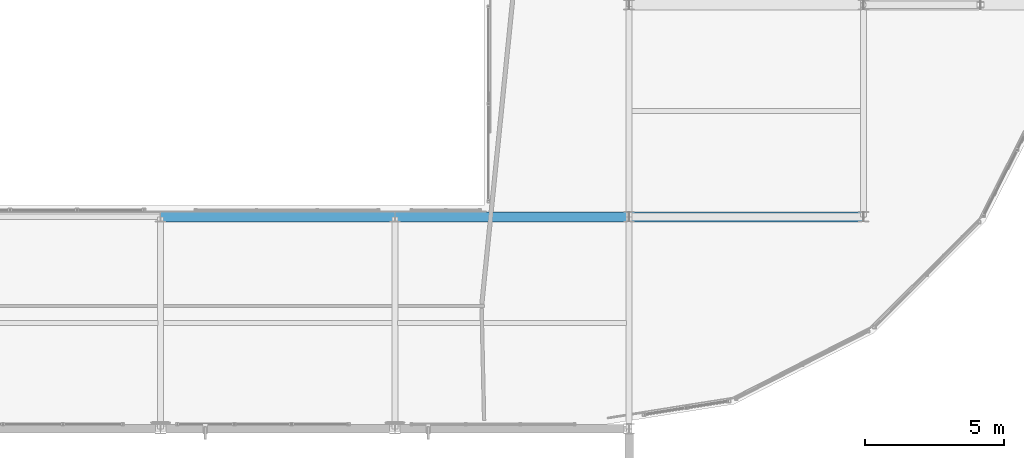
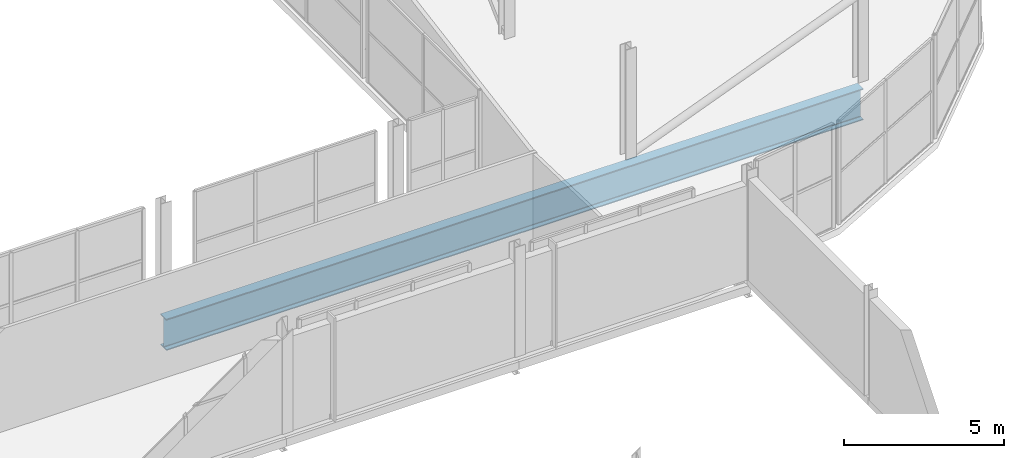
# One storey, part 142 of 217: 1 beam.
"""IFC4 building model written with IfcOpenShell, lengths in metres."""

from ifc_helpers import new_model, si_unit, direction, frame, origin, origin_2d, place, context, subcontext, project, spatial, i_section, extrude, material, material_profile, profile_set, type_object, element, save


model = new_model("IFC4")

# Units and contexts
model_context = context("Model", 3, precision=1e-05, world=origin(), true_north=direction((0.0, 1.0)))
body_context = subcontext(model_context, "Body", "Model", "MODEL_VIEW")
ifc_project = project(units=[si_unit("LENGTHUNIT", "METRE"), si_unit("AREAUNIT", "SQUARE_METRE"), si_unit("VOLUMEUNIT", "CUBIC_METRE"), si_unit("PLANEANGLEUNIT", "RADIAN"), si_unit("MASSUNIT", "GRAM", prefix="KILO")], contexts=[model_context])

# Site, building, storey
site_placement = place(None, origin())
site = spatial("IfcSite", under=ifc_project, at=site_placement, CompositionType="ELEMENT")
building_placement = place(site_placement, origin())
building = spatial("IfcBuilding", under=site, at=building_placement, Name="Zuvorla Pavilion Media Centre", CompositionType="ELEMENT")
storey_placement = place(building_placement, frame((0.0, 0.0, 9.60009765625)))
storey = spatial("IfcBuildingStorey", under=building, at=storey_placement, Name="L02", CompositionType="ELEMENT", Elevation=9.60009765625)

# Beam
ifc_material = material(Name="Steel S355", Category="steel")
ifc_material_profile = material_profile(ifc_material, i_section(OverallWidth=0.360107421875, OverallDepth=1.199951171875, WebThickness=0.02001953125, FlangeThickness=0.0380859375, FilletRadius=0.02392578125, at=origin_2d()), Name="PG 1200x360x38")
ifc_profile_set = profile_set([ifc_material_profile], Name="Steel S355")
beam_type = type_object("IfcBeamType", Name="BM-PG1200", PredefinedType="BEAM", material=ifc_profile_set)
beam_placement = place(storey_placement, frame((142.39990234375, 51.60009765625, -0.8681640625), z_axis=(1.0, 0.0, 0.0), x_axis=(0.0, 1.0, 0.0)))
element("IfcBeam", 1, at=beam_placement, inside=storey, type_object=beam_type, Name="L02 beam B01 1662", PredefinedType="BEAM", context=body_context, shape_type="SweptSolid", body=[
    extrude(i_section(OverallWidth=0.360107421875, OverallDepth=1.199951171875, WebThickness=0.02001953125, FlangeThickness=0.0380859375, FilletRadius=0.02392578125, at=origin_2d()), origin(), (0.0, 0.0, 1.0), 25.2001953125),
])

save(model, "model.ifc")
